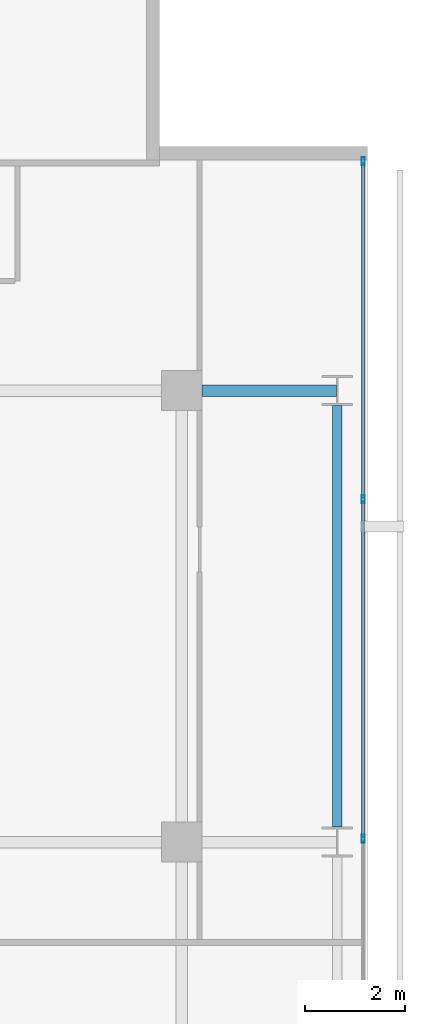
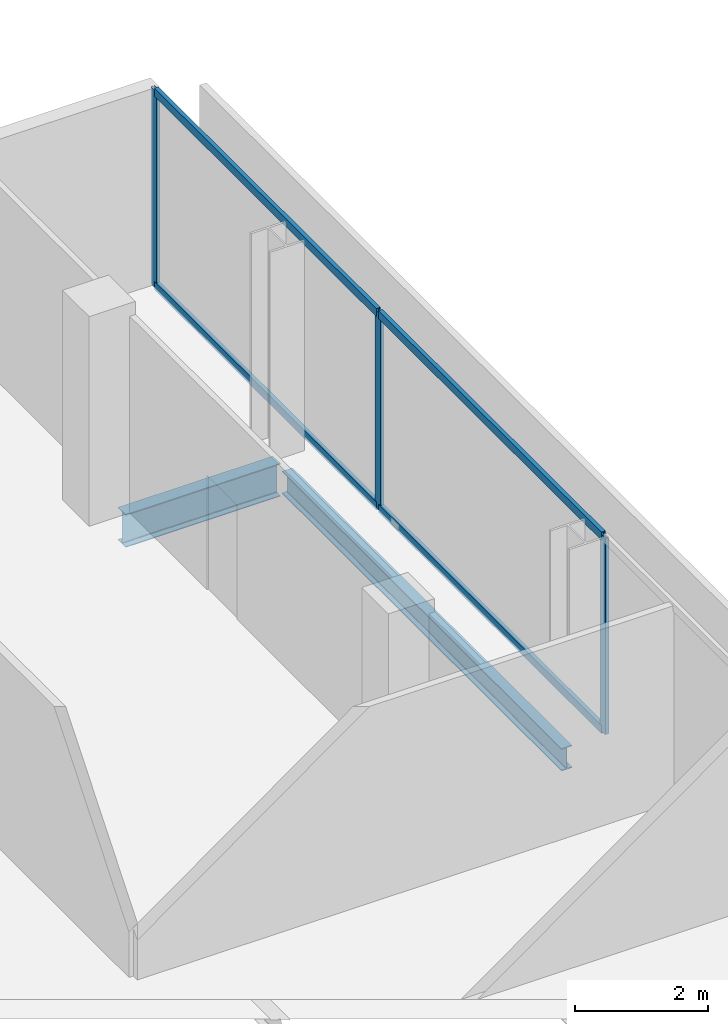
# One storey, part 24 of 32: 7 members, 2 beams, 1 element without a shape of its own.
"""IFC4 building model written with IfcOpenShell, lengths in metres."""

import ifcopenshell
import ifcopenshell.guid

model = None  # the IFC model being written
_history = None  # IfcOwnerHistory: only IFC2X3 demands one
_inside = {}  # id of a spatial element -> (the spatial element, [elements in it])
_under = {}  # id of a project, library or spatial element -> (it, [spatial elements below it])
_declared = {}  # id of a project -> (the project, [libraries it declares])
_typed = {}  # id of a type object -> (the type object, [elements of that type])
_made_of = {}  # id of a material, layer set ... -> (it, [elements and type objects made of it])


def new_model(schema):
    """Start an empty IFC model of exactly this schema.

    Asked for "IFC4X3", IfcOpenShell would pick the latest addendum, in which some entities
    have other attributes; the version numbers below select the first issue.
    IFC2X3 requires an IfcOwnerHistory on every rooted entity: one is made here for all.
    """
    global model, _history
    if schema == "IFC4X3":
        model = ifcopenshell.file(schema_version=(4, 3, 0, 0))
    else:
        model = ifcopenshell.file(schema=schema)
    _inside.clear()
    _under.clear()
    _declared.clear()
    _typed.clear()
    _made_of.clear()
    _history = None
    if model.schema == "IFC2X3":
        org = make("IfcOrganization", Name="unknown")
        user = make(
            "IfcPersonAndOrganization",
            ThePerson=make("IfcPerson", FamilyName="unknown"),
            TheOrganization=org,
        )
        app = make(
            "IfcApplication",
            ApplicationDeveloper=org,
            Version="unknown",
            ApplicationFullName="unknown",
            ApplicationIdentifier="unknown",
        )
        _history = make(
            "IfcOwnerHistory",
            OwningUser=user,
            OwningApplication=app,
            ChangeAction="ADDED",
            CreationDate=0,
        )
    return model


def make(cls, **values):
    """One entity of the class cls with the attributes given. An attribute that is None is left unset."""
    return model.create_entity(
        cls, **{name: value for name, value in values.items() if value is not None}
    )


def rooted(cls, **values):
    """An entity with a GlobalId (a new one), such as an element, a storey or a relation."""
    return make(cls, GlobalId=ifcopenshell.guid.new(), OwnerHistory=_history, **values)


def si_unit(unit_type, name, prefix=None):
    """IfcSIUnit, for example si_unit("LENGTHUNIT", "METRE", prefix="MILLI")."""
    return make("IfcSIUnit", UnitType=unit_type, Prefix=prefix, Name=name)


def assignment(units):
    """IfcUnitAssignment: the units of a project."""
    return None if units is None else make("IfcUnitAssignment", Units=units)


def point(xyz):
    """IfcCartesianPoint."""
    return None if xyz is None else make("IfcCartesianPoint", Coordinates=xyz)


def direction(xyz):
    """IfcDirection."""
    return None if xyz is None else make("IfcDirection", DirectionRatios=xyz)


def frame(location, z_axis=None, x_axis=None):
    """IfcAxis2Placement3D, a coordinate frame: its origin and axes. An axis left out is left unset."""
    return make(
        "IfcAxis2Placement3D",
        Location=point(location),
        Axis=direction(z_axis),
        RefDirection=direction(x_axis),
    )


def frame_2d(location, x_axis=None):
    """IfcAxis2Placement2D, a coordinate frame in the plane: its origin and x axis."""
    return make(
        "IfcAxis2Placement2D", Location=point(location), RefDirection=direction(x_axis)
    )


def origin():
    """The frame at (0, 0, 0) with its axes left unset."""
    return frame((0.0, 0.0, 0.0))


def origin_2d():
    """The frame at (0, 0) in the plane with its x axis left unset."""
    return frame_2d((0.0, 0.0))


def place(relative_to, where):
    """IfcLocalPlacement: puts the frame where relative to a parent placement (None: the world)."""
    return make(
        "IfcLocalPlacement", PlacementRelTo=relative_to, RelativePlacement=where
    )


def context(
    kind, dimensions, precision=None, world=None, true_north=None, identifier=None
):
    """IfcGeometricRepresentationContext, for example the 3D "Model" context."""
    return make(
        "IfcGeometricRepresentationContext",
        ContextIdentifier=identifier,
        ContextType=kind,
        CoordinateSpaceDimension=dimensions,
        Precision=precision,
        WorldCoordinateSystem=world,
        TrueNorth=true_north,
    )


def subcontext(parent, identifier, kind, view, scale=None):
    """IfcGeometricRepresentationSubContext, for example "Body" below "Model"."""
    return make(
        "IfcGeometricRepresentationSubContext",
        ContextIdentifier=identifier,
        ContextType=kind,
        ParentContext=parent,
        TargetScale=scale,
        TargetView=view,
    )


def project(units=None, contexts=None):
    """IfcProject with its units and contexts."""
    return rooted(
        "IfcProject",
        Name="project",
        RepresentationContexts=contexts,
        UnitsInContext=assignment(units),
    )


def spatial(cls, under=None, at=None, **own):
    """A site, building, storey or space (cls), placed at a placement, below another one or the project."""
    s = rooted(cls, ObjectPlacement=at, **own)
    if under is not None:
        _under.setdefault(under.id(), (under, []))[1].append(s)
    return s


def profile(cls, at=None, kind="AREA", **sizes):
    """A parametric profile (cls). Its sizes go by their IFC names, for example OverallWidth=200.0."""
    return make(cls, ProfileType=kind, Position=at, **sizes)


def hollow_rectangle(**sizes):
    """IfcRectangleHollowProfileDef."""
    return profile("IfcRectangleHollowProfileDef", **sizes)


def i_section(**sizes):
    """IfcIShapeProfileDef."""
    return profile("IfcIShapeProfileDef", **sizes)


def extrude(swept, where, along, depth):
    """IfcExtrudedAreaSolid: the profile swept, set in the frame where, extruded along a direction by depth."""
    return make(
        "IfcExtrudedAreaSolid",
        SweptArea=swept,
        Position=where,
        ExtrudedDirection=direction(along),
        Depth=depth,
    )


def shape(context_of_items, identifier, shape_type, items):
    """IfcShapeRepresentation: the items that make up one representation, for example the "Body"."""
    return make(
        "IfcShapeRepresentation",
        ContextOfItems=context_of_items,
        RepresentationIdentifier=identifier,
        RepresentationType=shape_type,
        Items=items,
    )


def material(Name=None, Category=None):
    """IfcMaterial."""
    return make("IfcMaterial", Name=Name, Category=Category)


def layer(
    of_material, thickness, ventilated=None, Name=None, Category=None, Priority=None
):
    """IfcMaterialLayer: one layer of a wall or slab, of a material (None: an air gap)."""
    return make(
        "IfcMaterialLayer",
        Material=of_material,
        LayerThickness=thickness,
        IsVentilated=ventilated,
        Name=Name,
        Category=Category,
        Priority=Priority,
    )


def layer_set(layers, Name=None):
    """IfcMaterialLayerSet."""
    return make("IfcMaterialLayerSet", MaterialLayers=layers, LayerSetName=Name)


def material_profile(
    of_material, cross_section, Name=None, Category=None, Priority=None
):
    """IfcMaterialProfile: a cross section and its material."""
    return make(
        "IfcMaterialProfile",
        Name=Name,
        Material=of_material,
        Profile=cross_section,
        Priority=Priority,
        Category=Category,
    )


def profile_set(profiles, Name=None, composite=None):
    """IfcMaterialProfileSet."""
    return make(
        "IfcMaterialProfileSet",
        Name=Name,
        MaterialProfiles=profiles,
        CompositeProfile=composite,
    )


def made_of(thing, what):
    """Note that an element or type object is made of a material, layer set ...; save() writes the relation."""
    if what is not None:
        _made_of.setdefault(what.id(), (what, []))[1].append(thing)
    return thing


def type_object(cls, material=None, **own):
    """A type object (cls), such as IfcWallType, which elements share."""
    return made_of(rooted(cls, **own), material)


def element(
    cls,
    number,
    at=None,
    inside=None,
    cuts=None,
    type_object=None,
    material=None,
    context=None,
    identifier="Body",
    shape_type=None,
    held_by="IfcProductDefinitionShape",
    body=None,
    shapes=None,
    **own,
):
    """One element of the class cls, such as IfcWall. Its Tag is "e" and its number.

    at: its placement. inside: the storey or other place that contains it. cuts: it is an
    opening in that element (IfcRelVoidsElement). A single representation is given by context,
    identifier, shape_type and body (its items); several are given by shapes. held_by: the class
    of the entity that holds the representations. save() writes the other relations.
    """
    e = rooted(cls, Tag="e%d" % number, ObjectPlacement=at, **own)
    if body is not None:
        shapes = [shape(context, identifier, shape_type, body)]
    if shapes is not None:
        e.Representation = make(held_by, Representations=shapes)
    if inside is not None:
        _inside.setdefault(inside.id(), (inside, []))[1].append(e)
    if cuts is not None:
        rooted(
            "IfcRelVoidsElement", RelatingBuildingElement=cuts, RelatedOpeningElement=e
        )
    if type_object is not None:
        _typed.setdefault(type_object.id(), (type_object, []))[1].append(e)
    return made_of(e, material)


def aggregate(whole, parts):
    """IfcRelAggregates: a whole, such as a stair, and the parts it consists of."""
    return rooted("IfcRelAggregates", RelatingObject=whole, RelatedObjects=parts)


def save(model, path):
    """Write the relations noted so far, then the file.

    IfcRelAggregates (storeys below a building ...), IfcRelContainedInSpatialStructure (elements
    in a storey), IfcRelDefinesByType, IfcRelAssociatesMaterial and IfcRelDeclares: one each for
    every whole, place, type object, material and project.
    """
    for whole, parts in _under.values():
        aggregate(whole, parts)
    for where, things in _inside.values():
        rooted(
            "IfcRelContainedInSpatialStructure",
            RelatedElements=things,
            RelatingStructure=where,
        )
    for kind, things in _typed.values():
        rooted("IfcRelDefinesByType", RelatedObjects=things, RelatingType=kind)
    for what, things in _made_of.values():
        rooted("IfcRelAssociatesMaterial", RelatedObjects=things, RelatingMaterial=what)
    for by, libraries in _declared.values():
        rooted("IfcRelDeclares", RelatingContext=by, RelatedDefinitions=libraries)
    model.write(path)


model = new_model("IFC4")

# Units and contexts
model_context = context("Model", 3, precision=1e-05, world=origin(), true_north=direction((0.0, 1.0)))
body_context = subcontext(model_context, "Body", "Model", "MODEL_VIEW")
ifc_project = project(units=[si_unit("LENGTHUNIT", "METRE"), si_unit("AREAUNIT", "SQUARE_METRE"), si_unit("VOLUMEUNIT", "CUBIC_METRE"), si_unit("PLANEANGLEUNIT", "RADIAN"), si_unit("MASSUNIT", "GRAM", prefix="KILO")], contexts=[model_context])

# Site, building, storey
site_placement = place(None, origin())
site = spatial("IfcSite", under=ifc_project, at=site_placement, CompositionType="ELEMENT")
building_placement = place(site_placement, origin())
building = spatial("IfcBuilding", under=site, at=building_placement, Name="Maruvema Waterfront Hotel and Observation Tower", CompositionType="ELEMENT")
storey_placement = place(building_placement, frame((0.0, 0.0, 165.89990234375)))
storey = spatial("IfcBuildingStorey", under=building, at=storey_placement, Name="L40", CompositionType="ELEMENT", Elevation=165.89990234375)

# Curtain wall, members
ifc_material_1 = material(Name="Anodised bronze aluminium and solar-control low-E IGU", Category="aluminium")
ifc_layer = layer(ifc_material_1, 0.159912109375, Name="Zone 2 Amber Inner Thermal Curtain Wall System CW-03")
ifc_layer_set = layer_set([ifc_layer], Name="Anodised bronze aluminium and solar-control low-E IGU")
curtain_wall_type = type_object("IfcCurtainWallType", Name="Zone 2 Amber Inner Thermal Curtain Wall System CW-03", PredefinedType="USERDEFINED", material=ifc_layer_set)
curtain_wall_placement = place(storey_placement, origin())
curtain_wall = element("IfcCurtainWall", 1, at=curtain_wall_placement, inside=storey, type_object=curtain_wall_type, Name="L40 Curtain Wall CW-L40-E", ObjectType="UNITISED CURTAIN WALL", PredefinedType="USERDEFINED")
ifc_material_2 = material(Name="Anodised architectural bronze aluminium", Category="aluminium")
ifc_material_profile_1 = material_profile(ifc_material_2, hollow_rectangle(XDim=0.070068359375, YDim=0.14990234375, WallThickness=0.00390625, at=origin_2d()), Name="ALU-T70x150")
ifc_profile_set_1 = profile_set([ifc_material_profile_1], Name="Anodised architectural bronze aluminium")
member_type_1 = type_object("IfcMemberType", Name="Curtain Wall Horizontal Transom ALU-T70x150", PredefinedType="USERDEFINED", material=ifc_profile_set_1)
member_1_placement = place(storey_placement, frame((62.419921875, 36.0966796875, 0.030029296875), z_axis=(0.0, 1.0, 0.0), x_axis=(-1.0, 0.0, 0.0)))
member_1 = element("IfcMember", 2, at=member_1_placement, type_object=member_type_1, Name="CW-03 transom 5.1", ObjectType="TRANSOM", PredefinedType="USERDEFINED", context=body_context, shape_type="SweptSolid", body=[
    extrude(hollow_rectangle(XDim=0.070068359375, YDim=0.14990234375, WallThickness=0.00390625, at=origin_2d()), origin(), (0.0, 0.0, 1.0), 6.70654296875),
])
member_2_placement = place(storey_placement, frame((62.419921875, 36.0966796875, 3.580078125), z_axis=(0.0, 1.0, 0.0), x_axis=(-1.0, 0.0, 0.0)))
member_2 = element("IfcMember", 3, at=member_2_placement, type_object=member_type_1, Name="CW-03 transom 5.2", ObjectType="TRANSOM", PredefinedType="USERDEFINED", context=body_context, shape_type="SweptSolid", body=[
    extrude(hollow_rectangle(XDim=0.070068359375, YDim=0.14990234375, WallThickness=0.00390625, at=origin_2d()), origin(), (0.0, 0.0, 1.0), 6.70654296875),
])
member_3_placement = place(storey_placement, frame((62.419921875, 42.86328125, 0.030029296875), z_axis=(0.0, 1.0, 0.0), x_axis=(-1.0, 0.0, 0.0)))
member_3 = element("IfcMember", 4, at=member_3_placement, type_object=member_type_1, Name="CW-03 transom 6.1", ObjectType="TRANSOM", PredefinedType="USERDEFINED", context=body_context, shape_type="SweptSolid", body=[
    extrude(hollow_rectangle(XDim=0.070068359375, YDim=0.14990234375, WallThickness=0.00390625, at=origin_2d()), origin(), (0.0, 0.0, 1.0), 6.6767578125),
])
member_4_placement = place(storey_placement, frame((62.419921875, 42.86328125, 3.580078125), z_axis=(0.0, 1.0, 0.0), x_axis=(-1.0, 0.0, 0.0)))
member_4 = element("IfcMember", 5, at=member_4_placement, type_object=member_type_1, Name="CW-03 transom 6.2", ObjectType="TRANSOM", PredefinedType="USERDEFINED", context=body_context, shape_type="SweptSolid", body=[
    extrude(hollow_rectangle(XDim=0.070068359375, YDim=0.14990234375, WallThickness=0.00390625, at=origin_2d()), origin(), (0.0, 0.0, 1.0), 6.6767578125),
])
ifc_material_3 = material(Name="Anodised architectural bronze aluminium", Category="aluminium")
ifc_material_profile_2 = material_profile(ifc_material_3, hollow_rectangle(XDim=0.06494140625, YDim=0.1650390625, WallThickness=0.00390625, at=origin_2d()), Name="ALU-M65x165")
ifc_profile_set_2 = profile_set([ifc_material_profile_2], Name="Anodised architectural bronze aluminium")
member_type_2 = type_object("IfcMemberType", Name="Curtain Wall Primary Mullion ALU-M65x165", PredefinedType="MULLION", material=ifc_profile_set_2)
member_5_placement = place(storey_placement, frame((62.419921875, 36.066650390625, 0.0), z_axis=(0.0, 0.0, 1.0), x_axis=(-1.0, 0.0, 0.0)))
member_5 = element("IfcMember", 6, at=member_5_placement, type_object=member_type_2, Name="CW-03 mullion 5", PredefinedType="MULLION", context=body_context, shape_type="SweptSolid", body=[
    extrude(hollow_rectangle(XDim=0.06494140625, YDim=0.1650390625, WallThickness=0.00390625, at=origin_2d()), origin(), (0.0, 0.0, 1.0), 3.610107421875),
])
member_6_placement = place(storey_placement, frame((62.419921875, 42.833251953125, 0.0), z_axis=(0.0, 0.0, 1.0), x_axis=(-1.0, 0.0, 0.0)))
member_6 = element("IfcMember", 7, at=member_6_placement, type_object=member_type_2, Name="CW-03 mullion 6", PredefinedType="MULLION", context=body_context, shape_type="SweptSolid", body=[
    extrude(hollow_rectangle(XDim=0.06494140625, YDim=0.1650390625, WallThickness=0.00390625, at=origin_2d()), origin(), (0.0, 0.0, 1.0), 3.610107421875),
])
member_7_placement = place(storey_placement, frame((62.419921875, 49.570068359375, 0.0), z_axis=(0.0, 0.0, 1.0), x_axis=(-1.0, 0.0, 0.0)))
member_7 = element("IfcMember", 8, at=member_7_placement, type_object=member_type_2, Name="CW-03 mullion 7", PredefinedType="MULLION", context=body_context, shape_type="SweptSolid", body=[
    extrude(hollow_rectangle(XDim=0.06494140625, YDim=0.1650390625, WallThickness=0.00390625, at=origin_2d()), origin(), (0.0, 0.0, 1.0), 3.610107421875),
])
aggregate(curtain_wall, [member_5, member_6, member_7, member_1, member_2, member_3, member_4])

# Beams
ifc_material_4 = material(Name="Steel ASTM A572 Grade 50", Category="steel")
ifc_material_profile_3 = material_profile(ifc_material_4, i_section(OverallWidth=0.180908203125, OverallDepth=0.4169921875, WebThickness=0.010986328125, FlangeThickness=0.018310546875, FilletRadius=0.014892578125, at=origin_2d()), Name="W410x85.0")
ifc_profile_set_3 = profile_set([ifc_material_profile_3], Name="Steel ASTM A572 Grade 50")
beam_type_1 = type_object("IfcBeamType", Name="Perimeter Spandrel Beam W410x85.0", PredefinedType="SPANDREL", material=ifc_profile_set_3)
beam_1_placement = place(storey_placement, frame((61.89990234375, 36.300048828125, -0.448486328125), z_axis=(0.0, 1.0, 0.0), x_axis=(-1.0, 0.0, 0.0)))
element("IfcBeam", 9, at=beam_1_placement, inside=storey, type_object=beam_type_1, Name="L40 Floor Girder NS-32", PredefinedType="SPANDREL", context=body_context, shape_type="SweptSolid", body=[
    extrude(i_section(OverallWidth=0.180908203125, OverallDepth=0.4169921875, WebThickness=0.010986328125, FlangeThickness=0.018310546875, FilletRadius=0.014892578125, at=origin_2d()), origin(), (0.0, 0.0, 1.0), 8.39990234375),
])
ifc_material_5 = material(Name="Steel ASTM A572 Grade 50", Category="steel")
ifc_material_profile_4 = material_profile(ifc_material_5, i_section(OverallWidth=0.22802734375, OverallDepth=0.60302734375, WebThickness=0.010498046875, FlangeThickness=0.014892578125, FilletRadius=0.01806640625, at=origin_2d()), Name="W610x101.0")
ifc_profile_set_4 = profile_set([ifc_material_profile_4], Name="Steel ASTM A572 Grade 50")
beam_type_2 = type_object("IfcBeamType", Name="Primary Floor Girder W610x101.0", PredefinedType="BEAM", material=ifc_profile_set_4)
beam_2_placement = place(storey_placement, frame((59.199951171875, 45.0, -0.54150390625), z_axis=(1.0, 0.0, 0.0), x_axis=(0.0, 1.0, 0.0)))
element("IfcBeam", 10, at=beam_2_placement, inside=storey, type_object=beam_type_2, Name="L40 Floor Girder EW-33", PredefinedType="BEAM", context=body_context, shape_type="SweptSolid", body=[
    extrude(i_section(OverallWidth=0.22802734375, OverallDepth=0.60302734375, WebThickness=0.010498046875, FlangeThickness=0.014892578125, FilletRadius=0.01806640625, at=origin_2d()), origin(), (0.0, 0.0, 1.0), 2.6875),
])

save(model, "model.ifc")
